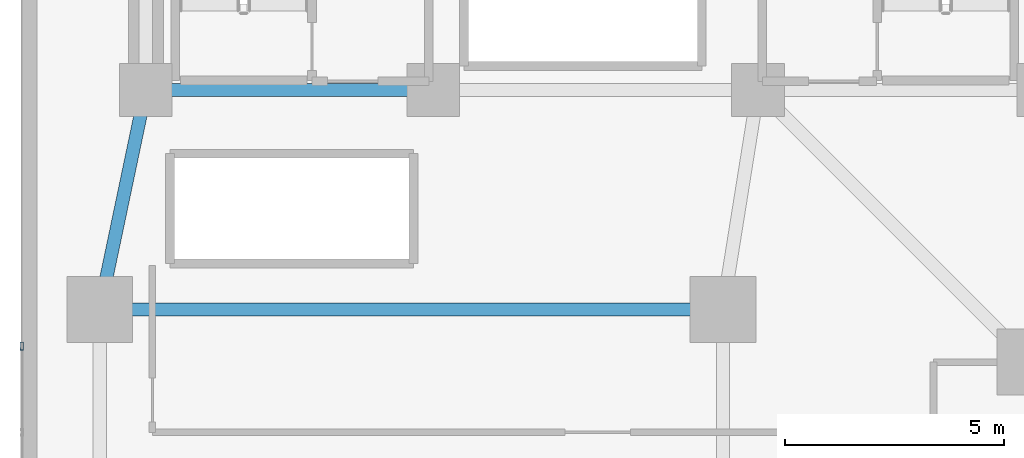
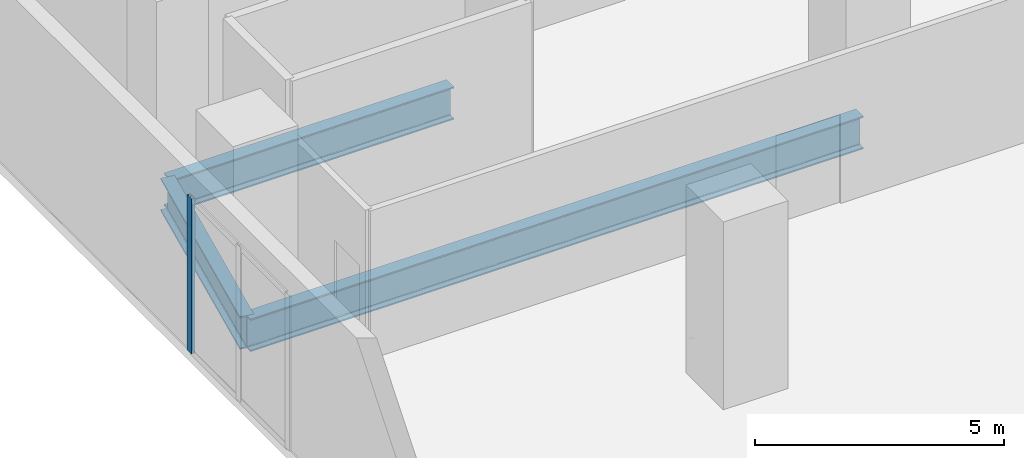
# One storey, part 6 of 14: 3 beams, 1 member, 1 element without a shape of its own.
"""IFC4 building model written with IfcOpenShell, lengths in metres."""

from ifc_helpers import new_model, si_unit, direction, frame, origin, origin_2d, place, context, subcontext, project, spatial, hollow_rectangle, i_section, extrude, material, material_profile, profile_set, type_object, element, aggregate, save


model = new_model("IFC4")

# Units and contexts
model_context = context("Model", 3, precision=1e-05, world=origin(), true_north=direction((0.0, 1.0)))
body_context = subcontext(model_context, "Body", "Model", "MODEL_VIEW")
ifc_project = project(units=[si_unit("LENGTHUNIT", "METRE"), si_unit("AREAUNIT", "SQUARE_METRE"), si_unit("VOLUMEUNIT", "CUBIC_METRE"), si_unit("PLANEANGLEUNIT", "RADIAN"), si_unit("MASSUNIT", "GRAM", prefix="KILO")], contexts=[model_context])

# Site, building, storey
site_placement = place(None, origin())
site = spatial("IfcSite", under=ifc_project, at=site_placement, CompositionType="ELEMENT")
building_placement = place(site_placement, origin())
building = spatial("IfcBuilding", under=site, at=building_placement, Name="Kuzgunbayir Cultural Tower", CompositionType="ELEMENT")
storey_placement = place(building_placement, frame((0.0, 0.0, 13.0)))
storey = spatial("IfcBuildingStorey", under=building, at=storey_placement, Name="L03", CompositionType="ELEMENT", Elevation=13.0)

# Beams
ifc_material_1 = material(Name="Steel S355J2", Category="steel")
ifc_material_profile_1 = material_profile(ifc_material_1, i_section(OverallWidth=0.300048828125, OverallDepth=0.800048828125, WebThickness=0.017578125, FlangeThickness=0.032958984375, FilletRadius=0.030029296875, at=origin_2d()), Name="HEB 800")
ifc_profile_set_1 = profile_set([ifc_material_profile_1], Name="Steel S355J2")
beam_type = type_object("IfcBeamType", Name="BM-GIR-HEB800", PredefinedType="BEAM", material=ifc_profile_set_1)
beam_1_placement = place(storey_placement, frame((5.39990234375, 28.800048828125, -0.64990234375), z_axis=(1.0, 0.0, 0.0), x_axis=(0.0, 1.0, 0.0)))
element("IfcBeam", 1, at=beam_1_placement, inside=storey, type_object=beam_type, Name="L03 Podium Primary Girder 3", PredefinedType="BEAM", context=body_context, shape_type="SweptSolid", body=[
    extrude(i_section(OverallWidth=0.300048828125, OverallDepth=0.800048828125, WebThickness=0.017578125, FlangeThickness=0.032958984375, FilletRadius=0.030029296875, at=origin_2d()), origin(), (0.0, 0.0, 1.0), 14.2001953125),
])
beam_2_placement = place(storey_placement, frame((5.39990234375, 28.800048828125, -0.64990234375), z_axis=(0.205526387753, 0.978651574329, 0.0), x_axis=(-0.978651574329, 0.205526387753, 0.0)))
element("IfcBeam", 2, at=beam_2_placement, inside=storey, type_object=beam_type, Name="L03 Podium Primary Girder 7", PredefinedType="BEAM", context=body_context, shape_type="SweptSolid", body=[
    extrude(i_section(OverallWidth=0.300048828125, OverallDepth=0.800048828125, WebThickness=0.017578125, FlangeThickness=0.032958984375, FilletRadius=0.030029296875, at=origin_2d()), origin(), (0.0, 0.0, 1.0), 5.109130859375),
])
beam_3_placement = place(storey_placement, frame((6.449951171875, 33.800048828125, -0.64990234375), z_axis=(1.0, 0.0, 0.0), x_axis=(0.0, 1.0, 0.0)))
element("IfcBeam", 3, at=beam_3_placement, inside=storey, type_object=beam_type, Name="L03 Podium Primary Girder 28", PredefinedType="BEAM", context=body_context, shape_type="SweptSolid", body=[
    extrude(i_section(OverallWidth=0.300048828125, OverallDepth=0.800048828125, WebThickness=0.017578125, FlangeThickness=0.032958984375, FilletRadius=0.030029296875, at=origin_2d()), origin(), (0.0, 0.0, 1.0), 6.550048828125),
])

# Curtain wall, member
ifc_material_2 = material(Name="Anodised Aluminium Framing", Category="aluminium")
curtain_wall_type = type_object("IfcCurtainWallType", Name="CW01-POD-FOYER", PredefinedType="NOTDEFINED", material=ifc_material_2)
curtain_wall_placement = place(storey_placement, origin())
curtain_wall = element("IfcCurtainWall", 4, at=curtain_wall_placement, inside=storey, type_object=curtain_wall_type, Name="L03 Civic Foyer Curtain Wall North", PredefinedType="NOTDEFINED")
ifc_material_profile_2 = material_profile(ifc_material_2, hollow_rectangle(XDim=0.074951171875, YDim=0.179931640625, WallThickness=0.0048828125, at=origin_2d()), Name="RHS 180x75x5")
ifc_profile_set_2 = profile_set([ifc_material_profile_2], Name="Anodised Aluminium Framing")
member_type = type_object("IfcMemberType", Name="MEM-CW-MULLION-180", PredefinedType="MULLION", material=ifc_profile_set_2)
member_placement = place(storey_placement, frame((3.6201171875, 27.96240234375, 0.0), z_axis=(0.0, 0.0, 1.0), x_axis=(-1.0, 0.0, 0.0)))
member = element("IfcMember", 5, at=member_placement, type_object=member_type, Name="CW01 mullion 3", PredefinedType="MULLION", context=body_context, shape_type="SweptSolid", body=[
    extrude(hollow_rectangle(XDim=0.074951171875, YDim=0.179931640625, WallThickness=0.0048828125, at=origin_2d()), origin(), (0.0, 0.0, 1.0), 3.800048828125),
])
aggregate(curtain_wall, [member])

save(model, "model.ifc")
